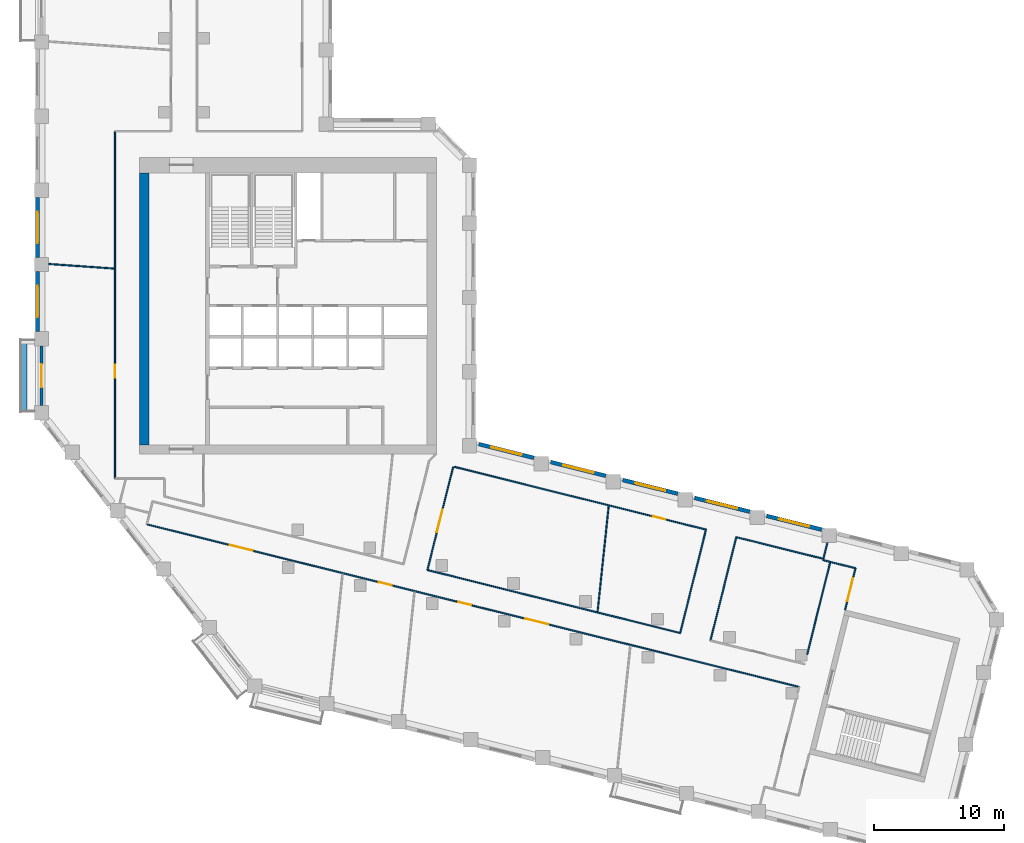
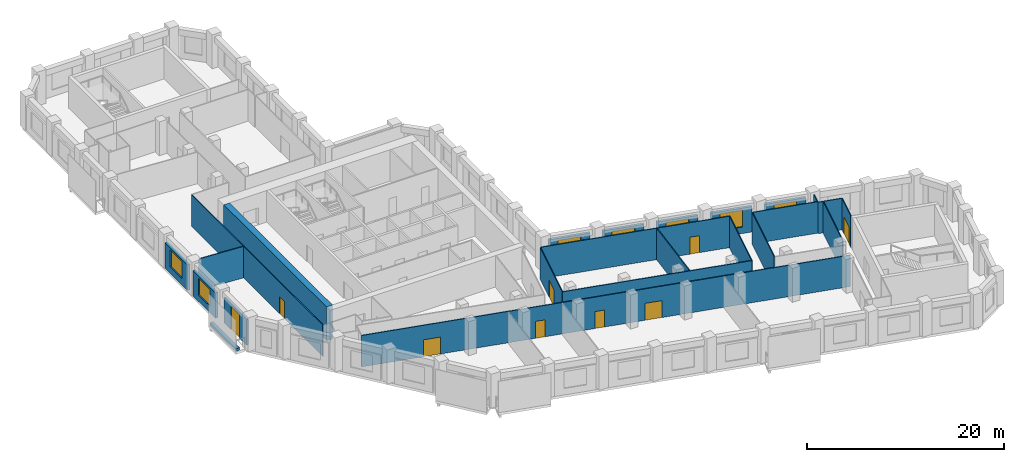
# One storey, part 4 of 10: 25 walls, 9 doors, 7 windows, 16 openings.
"""IFC4 building model written with IfcOpenShell, lengths in metres."""

from ifc_helpers import new_model, si_unit, direction, frame, frame_2d, origin, place, context, subcontext, project, spatial, rectangle, extrude, material, layer, layer_set, type_object, element, fill, save


model = new_model("IFC4")

# Units and contexts
model_context = context("Model", 3, precision=1e-05, world=origin(), true_north=direction((0.0, 1.0)))
body_context = subcontext(model_context, "Body", "Model", "MODEL_VIEW")
ifc_project = project(units=[si_unit("LENGTHUNIT", "METRE"), si_unit("AREAUNIT", "SQUARE_METRE"), si_unit("VOLUMEUNIT", "CUBIC_METRE"), si_unit("PLANEANGLEUNIT", "RADIAN"), si_unit("MASSUNIT", "GRAM", prefix="KILO")], contexts=[model_context])

# Site, building, storey
site_placement = place(None, origin())
site = spatial("IfcSite", under=ifc_project, at=site_placement, CompositionType="ELEMENT")
building_placement = place(site_placement, origin())
building = spatial("IfcBuilding", under=site, at=building_placement, Name="Meshkara Civic Tower", CompositionType="ELEMENT")
storey_placement = place(building_placement, frame((0.0, 0.0, 234.0)))
storey = spatial("IfcBuildingStorey", under=building, at=storey_placement, Name="L53", CompositionType="ELEMENT", Elevation=234.0)

# Wall
ifc_material_1 = material(Name="Concrete C60", Category="concrete")
ifc_layer_1 = layer(ifc_material_1, 0.699951171875)
ifc_layer_set_1 = layer_set([ifc_layer_1], Name="Core ring wall 700 C60")
wall_type_1 = type_object("IfcWallType", Name="Core ring wall 700 C60", PredefinedType="SHEAR", material=ifc_layer_set_1)
wall_1_placement = place(storey_placement, frame((8.35009765625, 14.800048828125, -0.300048828125), z_axis=(0.0, 0.0, 1.0), x_axis=(0.0, 1.0, 0.0)))
element("IfcWall", 1, at=wall_1_placement, inside=storey, type_object=wall_type_1, Name="L53-C003", PredefinedType="SHEAR", context=body_context, shape_type="SweptSolid", body=[
    extrude(rectangle(XDim=20.89990234375, YDim=0.699951171875, at=frame_2d((10.449951171875, 0.0))), origin(), (0.0, 0.0, 1.0), 4.199951171875),
])

# Wall, opening, door
ifc_material_2 = material(Name="Corridor wall 100")
ifc_layer_2 = layer(ifc_material_2, 0.10009765625)
ifc_layer_set_2 = layer_set([ifc_layer_2], Name="Corridor wall 100")
wall_type_2 = type_object("IfcWallType", Name="Corridor wall 100", PredefinedType="PARTITIONING", material=ifc_layer_set_2)
wall_2_placement = place(storey_placement, frame((6.10009765625, 38.89990234375, 0.0), z_axis=(0.0, 0.0, 1.0), x_axis=(0.0, -1.0, 0.0)))
wall_2 = element("IfcWall", 2, at=wall_2_placement, inside=storey, type_object=wall_type_2, Name="L53-W005", PredefinedType="PARTITIONING", context=body_context, shape_type="SweptSolid", body=[
    extrude(rectangle(XDim=26.699951171875, YDim=0.10009765625, at=frame_2d((13.35009765625, 0.0))), origin(), (0.0, 0.0, 1.0), 3.89990234375),
])
opening_1_placement = place(wall_2_placement, frame((17.93603515625, 0.0, 0.0)))
opening_1 = element("IfcOpeningElement", 3, at=opening_1_placement, cuts=wall_2, Name="Opening L53-D013", PredefinedType="OPENING", context=body_context, shape_type="SweptSolid", body=[
    extrude(rectangle(XDim=1.0, YDim=2.10009765625, at=frame_2d((0.5, 1.050048828125))), frame((0.0, 0.06005859375, 0.0), z_axis=(0.0, -1.0, 0.0), x_axis=(1.0, 0.0, 0.0)), (0.0, 0.0, 1.0), 0.1201171875),
])
ifc_material_3 = material(Name="Door 1000 x 2100")
door_type_1 = type_object("IfcDoorType", Name="Door 1000 x 2100", OperationType="SINGLE_SWING_LEFT", PredefinedType="DOOR", material=ifc_material_3)
door_1_placement = place(opening_1_placement, origin())
door_1 = element("IfcDoor", 4, at=door_1_placement, inside=storey, type_object=door_type_1, Name="L53-D013", OperationType="SINGLE_SWING_RIGHT", OverallHeight=2.10009765625, OverallWidth=1.0, PredefinedType="DOOR", context=body_context, shape_type="SweptSolid", body=[
    extrude(rectangle(XDim=1.0, YDim=2.10009765625, at=frame_2d((0.5, 1.050048828125))), frame((0.0, 0.02490234375, 0.0), z_axis=(0.0, -1.0, 0.0), x_axis=(1.0, 0.0, 0.0)), (0.0, 0.0, 1.0), 0.050048828125),
])
fill(opening_1, door_1)

# Wall, openings, doors
wall_3_placement = place(storey_placement, frame((8.550048828125, 8.68505859375, 0.0), z_axis=(0.0, 0.0, 1.0), x_axis=(0.970297101369, -0.241916380335, 0.0)))
wall_3 = element("IfcWall", 5, at=wall_3_placement, inside=storey, type_object=wall_type_2, Name="L53-W006", PredefinedType="PARTITIONING", context=body_context, shape_type="SweptSolid", body=[
    extrude(rectangle(XDim=51.6748046875, YDim=0.10009765625, at=frame_2d((25.83740234375, 0.0))), origin(), (0.0, 0.0, 1.0), 3.89990234375),
])
opening_2_placement = place(wall_3_placement, frame((18.39111328125, 0.0, 0.0)))
opening_2 = element("IfcOpeningElement", 6, at=opening_2_placement, cuts=wall_3, Name="Opening L53-D004", PredefinedType="OPENING", context=body_context, shape_type="SweptSolid", body=[
    extrude(rectangle(XDim=1.0, YDim=2.10009765625, at=frame_2d((0.5, 1.050048828125))), frame((0.0, 0.06005859375, 0.0), z_axis=(0.0, -1.0, 0.0), x_axis=(1.0, 0.0, 0.0)), (0.0, 0.0, 1.0), 0.1201171875),
])
opening_3_placement = place(wall_3_placement, frame((24.68994140625, 0.0, 0.0)))
opening_3 = element("IfcOpeningElement", 7, at=opening_3_placement, cuts=wall_3, Name="Opening L53-D005", PredefinedType="OPENING", context=body_context, shape_type="SweptSolid", body=[
    extrude(rectangle(XDim=1.0, YDim=2.10009765625, at=frame_2d((0.5, 1.050048828125))), frame((0.0, 0.06005859375, 0.0), z_axis=(0.0, -1.0, 0.0), x_axis=(1.0, 0.0, 0.0)), (0.0, 0.0, 1.0), 0.1201171875),
])
opening_4_placement = place(wall_3_placement, frame((29.989990234375, 0.0, 0.0)))
opening_4 = element("IfcOpeningElement", 8, at=opening_4_placement, cuts=wall_3, Name="Opening L53-D006", PredefinedType="OPENING", context=body_context, shape_type="SweptSolid", body=[
    extrude(rectangle(XDim=1.800048828125, YDim=2.10009765625, at=frame_2d((0.89990234375, 1.050048828125))), frame((0.0, 0.06005859375, 0.0), z_axis=(0.0, -1.0, 0.0), x_axis=(1.0, 0.0, 0.0)), (0.0, 0.0, 1.0), 0.1201171875),
])
opening_5_placement = place(wall_3_placement, frame((6.580078125, 0.0, 0.0)))
opening_5 = element("IfcOpeningElement", 9, at=opening_5_placement, cuts=wall_3, Name="Opening L53-D008", PredefinedType="OPENING", context=body_context, shape_type="SweptSolid", body=[
    extrude(rectangle(XDim=1.800048828125, YDim=2.10009765625, at=frame_2d((0.89990234375, 1.050048828125))), frame((0.0, 0.06005859375, 0.0), z_axis=(0.0, -1.0, 0.0), x_axis=(1.0, 0.0, 0.0)), (0.0, 0.0, 1.0), 0.1201171875),
])
door_2_placement = place(opening_2_placement, origin())
door_2 = element("IfcDoor", 10, at=door_2_placement, inside=storey, type_object=door_type_1, Name="L53-D004", OperationType="SINGLE_SWING_LEFT", OverallHeight=2.10009765625, OverallWidth=1.0, PredefinedType="DOOR", context=body_context, shape_type="SweptSolid", body=[
    extrude(rectangle(XDim=1.0, YDim=2.10009765625, at=frame_2d((0.5, 1.050048828125))), frame((0.0, 0.02490234375, 0.0), z_axis=(0.0, -1.0, 0.0), x_axis=(1.0, 0.0, 0.0)), (0.0, 0.0, 1.0), 0.050048828125),
])
fill(opening_2, door_2)
door_3_placement = place(opening_3_placement, origin())
door_3 = element("IfcDoor", 11, at=door_3_placement, inside=storey, type_object=door_type_1, Name="L53-D005", OperationType="SINGLE_SWING_RIGHT", OverallHeight=2.10009765625, OverallWidth=1.0, PredefinedType="DOOR", context=body_context, shape_type="SweptSolid", body=[
    extrude(rectangle(XDim=1.0, YDim=2.10009765625, at=frame_2d((0.5, 1.050048828125))), frame((0.0, 0.02490234375, 0.0), z_axis=(0.0, -1.0, 0.0), x_axis=(1.0, 0.0, 0.0)), (0.0, 0.0, 1.0), 0.050048828125),
])
fill(opening_3, door_3)
ifc_material_4 = material(Name="Door pair 1800 x 2100")
door_type_2 = type_object("IfcDoorType", Name="Door pair 1800 x 2100", OperationType="SINGLE_SWING_LEFT", PredefinedType="DOOR", material=ifc_material_4)
door_4_placement = place(opening_4_placement, origin())
door_4 = element("IfcDoor", 12, at=door_4_placement, inside=storey, type_object=door_type_2, Name="L53-D006", OperationType="DOUBLE_DOOR_SINGLE_SWING", OverallHeight=2.10009765625, OverallWidth=1.800048828125, PredefinedType="DOOR", context=body_context, shape_type="SweptSolid", body=[
    extrude(rectangle(XDim=1.800048828125, YDim=2.10009765625, at=frame_2d((0.89990234375, 1.050048828125))), frame((0.0, 0.02490234375, 0.0), z_axis=(0.0, -1.0, 0.0), x_axis=(1.0, 0.0, 0.0)), (0.0, 0.0, 1.0), 0.050048828125),
])
fill(opening_4, door_4)
door_5_placement = place(opening_5_placement, origin())
door_5 = element("IfcDoor", 13, at=door_5_placement, inside=storey, type_object=door_type_2, Name="L53-D008", OperationType="DOUBLE_DOOR_SINGLE_SWING", OverallHeight=2.10009765625, OverallWidth=1.800048828125, PredefinedType="DOOR", context=body_context, shape_type="SweptSolid", body=[
    extrude(rectangle(XDim=1.800048828125, YDim=2.10009765625, at=frame_2d((0.89990234375, 1.050048828125))), frame((0.0, 0.02490234375, 0.0), z_axis=(0.0, -1.0, 0.0), x_axis=(1.0, 0.0, 0.0)), (0.0, 0.0, 1.0), 0.050048828125),
])
fill(opening_5, door_5)

# Wall
wall_4_placement = place(storey_placement, frame((30.1201171875, 5.1708984375, 0.0), z_axis=(0.0, 0.0, 1.0), x_axis=(0.970303642594, -0.241890142767, 0.0)))
element("IfcWall", 14, at=wall_4_placement, inside=storey, type_object=wall_type_2, Name="L53-W021", PredefinedType="PARTITIONING", context=body_context, shape_type="SweptSolid", body=[
    extrude(rectangle(XDim=20.025634765625, YDim=0.10009765625, at=frame_2d((10.0126953125, 0.0))), origin(), (0.0, 0.0, 1.0), 3.89990234375),
])

# Wall, opening, door
wall_5_placement = place(storey_placement, frame((30.1201171875, 5.1708984375, 0.0), z_axis=(0.0, 0.0, 1.0), x_axis=(0.241902913229, 0.970300458915, 0.0)))
wall_5 = element("IfcWall", 15, at=wall_5_placement, inside=storey, type_object=wall_type_2, Name="L53-W022", PredefinedType="PARTITIONING", context=body_context, shape_type="SweptSolid", body=[
    extrude(rectangle(XDim=8.171875, YDim=0.10009765625, at=frame_2d((4.0859375, 0.0))), origin(), (0.0, 0.0, 1.0), 3.89990234375),
])
opening_6_placement = place(wall_5_placement, frame((2.97998046875, 0.0, 0.0)))
opening_6 = element("IfcOpeningElement", 16, at=opening_6_placement, cuts=wall_5, Name="Opening L53-D010", PredefinedType="OPENING", context=body_context, shape_type="SweptSolid", body=[
    extrude(rectangle(XDim=1.800048828125, YDim=2.10009765625, at=frame_2d((0.89990234375, 1.050048828125))), frame((0.0, 0.06005859375, 0.0), z_axis=(0.0, -1.0, 0.0), x_axis=(1.0, 0.0, 0.0)), (0.0, 0.0, 1.0), 0.1201171875),
])
door_6_placement = place(opening_6_placement, origin())
door_6 = element("IfcDoor", 17, at=door_6_placement, inside=storey, type_object=door_type_2, Name="L53-D010", OperationType="DOUBLE_DOOR_SINGLE_SWING", OverallHeight=2.10009765625, OverallWidth=1.800048828125, PredefinedType="DOOR", context=body_context, shape_type="SweptSolid", body=[
    extrude(rectangle(XDim=1.800048828125, YDim=2.10009765625, at=frame_2d((0.89990234375, 1.050048828125))), frame((0.0, 0.02490234375, 0.0), z_axis=(0.0, -1.0, 0.0), x_axis=(1.0, 0.0, 0.0)), (0.0, 0.0, 1.0), 0.050048828125),
])
fill(opening_6, door_6)

wall_6_placement = place(storey_placement, frame((32.196044921875, 13.10009765625, 0.0), z_axis=(0.0, 0.0, 1.0), x_axis=(0.970300822777, -0.241901453734, 0.0)))
wall_6 = element("IfcWall", 18, at=wall_6_placement, inside=storey, type_object=wall_type_2, Name="L53-W026", PredefinedType="PARTITIONING", context=body_context, shape_type="SweptSolid", body=[
    extrude(rectangle(XDim=19.9296875, YDim=0.10009765625, at=frame_2d((9.96484375, 0.0))), origin(), (0.0, 0.0, 1.0), 3.89990234375),
])
opening_7_placement = place(wall_6_placement, frame((15.70703125, 0.0, 0.0)))
opening_7 = element("IfcOpeningElement", 19, at=opening_7_placement, cuts=wall_6, Name="Opening L53-D011", PredefinedType="OPENING", context=body_context, shape_type="SweptSolid", body=[
    extrude(rectangle(XDim=1.0, YDim=2.10009765625, at=frame_2d((0.5, 1.050048828125))), frame((0.0, 0.06005859375, 0.0), z_axis=(0.0, -1.0, 0.0), x_axis=(1.0, 0.0, 0.0)), (0.0, 0.0, 1.0), 0.1201171875),
])
door_7_placement = place(opening_7_placement, origin())
door_7 = element("IfcDoor", 20, at=door_7_placement, inside=storey, type_object=door_type_1, Name="L53-D011", OperationType="SINGLE_SWING_LEFT", OverallHeight=2.10009765625, OverallWidth=1.0, PredefinedType="DOOR", context=body_context, shape_type="SweptSolid", body=[
    extrude(rectangle(XDim=1.0, YDim=2.10009765625, at=frame_2d((0.5, 1.050048828125))), frame((0.0, 0.02490234375, 0.0), z_axis=(0.0, -1.0, 0.0), x_axis=(1.0, 0.0, 0.0)), (0.0, 0.0, 1.0), 0.050048828125),
])
fill(opening_7, door_7)

# Walls
wall_7_placement = place(storey_placement, frame((51.533935546875, 8.278076171875, 0.0), z_axis=(0.0, 0.0, 1.0), x_axis=(-0.241974784284, -0.970282538115, 0.0)))
element("IfcWall", 21, at=wall_7_placement, inside=storey, type_object=wall_type_2, Name="L53-W027", PredefinedType="PARTITIONING", context=body_context, shape_type="SweptSolid", body=[
    extrude(rectangle(XDim=8.194580078125, YDim=0.10009765625, at=frame_2d((4.09716796875, 0.0))), origin(), (0.0, 0.0, 1.0), 3.89990234375),
])
wall_8_placement = place(storey_placement, frame((51.8798828125, -0.25390625, 0.0), z_axis=(0.0, 0.0, 1.0), x_axis=(0.241869660979, 0.970308748336, 0.0)))
element("IfcWall", 22, at=wall_8_placement, inside=storey, type_object=wall_type_2, Name="L53-W028", PredefinedType="PARTITIONING", context=body_context, shape_type="SweptSolid", body=[
    extrude(rectangle(XDim=8.1953125, YDim=0.10009765625, at=frame_2d((4.09765625, 0.0))), origin(), (0.0, 0.0, 1.0), 3.89990234375),
])
wall_9_placement = place(storey_placement, frame((53.862060546875, 7.697998046875, 0.0), z_axis=(0.0, 0.0, 1.0), x_axis=(0.970296350815, -0.241919390698, 0.0)))
element("IfcWall", 23, at=wall_9_placement, inside=storey, type_object=wall_type_2, Name="L53-W029", PredefinedType="PARTITIONING", context=body_context, shape_type="SweptSolid", body=[
    extrude(rectangle(XDim=6.898681640625, YDim=0.10009765625, at=frame_2d((3.44921875, 0.0))), origin(), (0.0, 0.0, 1.0), 3.89990234375),
])
wall_10_placement = place(storey_placement, frame((60.555908203125, 6.029052734375, 0.0), z_axis=(0.0, 0.0, 1.0), x_axis=(0.24168476558, 0.970354818655, 0.0)))
element("IfcWall", 24, at=wall_10_placement, inside=storey, type_object=wall_type_2, Name="L53-W035", PredefinedType="PARTITIONING", context=body_context, shape_type="SweptSolid", body=[
    extrude(rectangle(XDim=1.282958984375, YDim=0.10009765625, at=frame_2d((0.6416015625, 0.0))), origin(), (0.0, 0.0, 1.0), 3.89990234375),
])
wall_11_placement = place(storey_placement, frame((61.0859375, 5.7939453125, 0.0), z_axis=(0.0, 0.0, 1.0), x_axis=(-0.241861257594, -0.970310843016, 0.0)))
element("IfcWall", 25, at=wall_11_placement, inside=storey, type_object=wall_type_2, Name="L53-W036", PredefinedType="PARTITIONING", context=body_context, shape_type="SweptSolid", body=[
    extrude(rectangle(XDim=7.326416015625, YDim=0.10009765625, at=frame_2d((3.6630859375, 0.0))), origin(), (0.0, 0.0, 1.0), 3.89990234375),
])

# Wall, opening, door
wall_12_placement = place(storey_placement, frame((62.22900390625, 2.10791015625, 0.0), z_axis=(0.0, 0.0, 1.0), x_axis=(0.241839284064, 0.97031631991, 0.0)))
wall_12 = element("IfcWall", 26, at=wall_12_placement, inside=storey, type_object=wall_type_2, Name="L53-W037", PredefinedType="PARTITIONING", context=body_context, shape_type="SweptSolid", body=[
    extrude(rectangle(XDim=3.300048828125, YDim=0.10009765625, at=frame_2d((1.64990234375, 0.0))), origin(), (0.0, 0.0, 1.0), 3.89990234375),
])
opening_8_placement = place(wall_12_placement, frame((0.679931640625, 0.0, 0.0)))
opening_8 = element("IfcOpeningElement", 27, at=opening_8_placement, cuts=wall_12, Name="Opening L53-D007", PredefinedType="OPENING", context=body_context, shape_type="SweptSolid", body=[
    extrude(rectangle(XDim=1.800048828125, YDim=2.10009765625, at=frame_2d((0.89990234375, 1.050048828125))), frame((0.0, 0.06005859375, 0.0), z_axis=(0.0, -1.0, 0.0), x_axis=(1.0, 0.0, 0.0)), (0.0, 0.0, 1.0), 0.1201171875),
])
door_8_placement = place(opening_8_placement, origin())
door_8 = element("IfcDoor", 28, at=door_8_placement, inside=storey, type_object=door_type_2, Name="L53-D007", OperationType="DOUBLE_DOOR_SINGLE_SWING", OverallHeight=2.10009765625, OverallWidth=1.800048828125, PredefinedType="DOOR", context=body_context, shape_type="SweptSolid", body=[
    extrude(rectangle(XDim=1.800048828125, YDim=2.10009765625, at=frame_2d((0.89990234375, 1.050048828125))), frame((0.0, 0.02490234375, 0.0), z_axis=(0.0, -1.0, 0.0), x_axis=(1.0, 0.0, 0.0)), (0.0, 0.0, 1.0), 0.050048828125),
])
fill(opening_8, door_8)

# Wall
wall_13_placement = place(storey_placement, frame((63.027099609375, 5.31005859375, 0.0), z_axis=(0.0, 0.0, 1.0), x_axis=(-0.970307382734, 0.241875139301, 0.0)))
element("IfcWall", 29, at=wall_13_placement, inside=storey, type_object=wall_type_2, Name="L53-W038", PredefinedType="PARTITIONING", context=body_context, shape_type="SweptSolid", body=[
    extrude(rectangle(XDim=2.00048828125, YDim=0.10009765625, at=frame_2d((1.000244140625, 0.0))), origin(), (0.0, 0.0, 1.0), 3.89990234375),
])

# Wall, opening, window
ifc_material_5 = material(Name="Insulated infill panel with bronze anodised aluminium cladding", Category="aluminium")
ifc_layer_3 = layer(ifc_material_5, 0.300048828125)
ifc_layer_set_3 = layer_set([ifc_layer_3], Name="EXTERNAL INFILL WALL 300")
wall_type_3 = type_object("IfcWallType", Name="EXTERNAL INFILL WALL 300", PredefinedType="SOLIDWALL", material=ifc_layer_set_3)
wall_14_placement = place(storey_placement, frame((60.428955078125, 8.277099609375, 0.0), z_axis=(0.0, 0.0, 1.0), x_axis=(-0.97030676369, 0.241877622649, 0.0)))
wall_14 = element("IfcWall", 30, at=wall_14_placement, inside=storey, type_object=wall_type_3, Name="External wall", PredefinedType="SOLIDWALL", context=body_context, shape_type="SweptSolid", body=[
    extrude(rectangle(XDim=4.365478515625, YDim=0.300048828125, at=frame_2d((2.1826171875, 0.0))), origin(), (0.0, 0.0, 1.0), 3.14990234375),
])
opening_9_placement = place(wall_14_placement, frame((0.98291015625, 0.0, 0.800048828125)))
opening_9 = element("IfcOpeningElement", 31, at=opening_9_placement, cuts=wall_14, Name="Opening W7", PredefinedType="OPENING", context=body_context, shape_type="SweptSolid", body=[
    extrude(rectangle(XDim=2.39990234375, YDim=2.10009765625, at=frame_2d((1.199951171875, 1.050048828125))), frame((0.0, 0.159912109375, 0.0), z_axis=(0.0, -1.0, 0.0), x_axis=(1.0, 0.0, 0.0)), (0.0, 0.0, 1.0), 0.320068359375),
])
ifc_material_6 = material(Name="Tinted double glazing", Category="glass")
window_type = type_object("IfcWindowType", Name="WINDOW 2400x2100", PartitioningType="DOUBLE_PANEL_VERTICAL", PredefinedType="WINDOW", material=ifc_material_6)
window_1_placement = place(opening_9_placement, origin())
window_1 = element("IfcWindow", 32, at=window_1_placement, inside=storey, type_object=window_type, Name="Window", OverallHeight=2.10009765625, OverallWidth=2.39990234375, PartitioningType="DOUBLE_PANEL_VERTICAL", PredefinedType="WINDOW", context=body_context, shape_type="SweptSolid", body=[
    extrude(rectangle(XDim=2.39990234375, YDim=2.10009765625, at=frame_2d((1.199951171875, 1.050048828125))), frame((0.0, 0.030029296875, 0.0), z_axis=(0.0, -1.0, 0.0), x_axis=(1.0, 0.0, 0.0)), (0.0, 0.0, 1.0), 0.06005859375),
])
fill(opening_9, window_1)

wall_15_placement = place(storey_placement, frame((54.89892578125, 9.656005859375, 0.0), z_axis=(0.0, 0.0, 1.0), x_axis=(-0.970319847058, 0.241825131873, 0.0)))
wall_15 = element("IfcWall", 33, at=wall_15_placement, inside=storey, type_object=wall_type_3, Name="External wall", PredefinedType="SOLIDWALL", context=body_context, shape_type="SweptSolid", body=[
    extrude(rectangle(XDim=4.366455078125, YDim=0.300048828125, at=frame_2d((2.18310546875, 0.0))), origin(), (0.0, 0.0, 1.0), 3.14990234375),
])
opening_10_placement = place(wall_15_placement, frame((0.98291015625, 0.0, 0.800048828125)))
opening_10 = element("IfcOpeningElement", 34, at=opening_10_placement, cuts=wall_15, Name="Opening W7", PredefinedType="OPENING", context=body_context, shape_type="SweptSolid", body=[
    extrude(rectangle(XDim=2.39990234375, YDim=2.10009765625, at=frame_2d((1.199951171875, 1.050048828125))), frame((0.0, 0.159912109375, 0.0), z_axis=(0.0, -1.0, 0.0), x_axis=(1.0, 0.0, 0.0)), (0.0, 0.0, 1.0), 0.320068359375),
])
window_2_placement = place(opening_10_placement, origin())
window_2 = element("IfcWindow", 35, at=window_2_placement, inside=storey, type_object=window_type, Name="Window", OverallHeight=2.10009765625, OverallWidth=2.39990234375, PartitioningType="DOUBLE_PANEL_VERTICAL", PredefinedType="WINDOW", context=body_context, shape_type="SweptSolid", body=[
    extrude(rectangle(XDim=2.39990234375, YDim=2.10009765625, at=frame_2d((1.199951171875, 1.050048828125))), frame((0.0, 0.030029296875, 0.0), z_axis=(0.0, -1.0, 0.0), x_axis=(1.0, 0.0, 0.0)), (0.0, 0.0, 1.0), 0.06005859375),
])
fill(opening_10, window_2)

wall_16_placement = place(storey_placement, frame((49.367919921875, 11.034912109375, 0.0), z_axis=(0.0, 0.0, 1.0), x_axis=(-0.970306725873, 0.241877774353, 0.0)))
wall_16 = element("IfcWall", 36, at=wall_16_placement, inside=storey, type_object=wall_type_3, Name="External wall", PredefinedType="SOLIDWALL", context=body_context, shape_type="SweptSolid", body=[
    extrude(rectangle(XDim=4.366455078125, YDim=0.300048828125, at=frame_2d((2.18310546875, 0.0))), origin(), (0.0, 0.0, 1.0), 3.14990234375),
])
opening_11_placement = place(wall_16_placement, frame((0.98291015625, 0.0, 0.800048828125)))
opening_11 = element("IfcOpeningElement", 37, at=opening_11_placement, cuts=wall_16, Name="Opening W7", PredefinedType="OPENING", context=body_context, shape_type="SweptSolid", body=[
    extrude(rectangle(XDim=2.39990234375, YDim=2.10009765625, at=frame_2d((1.199951171875, 1.050048828125))), frame((0.0, 0.159912109375, 0.0), z_axis=(0.0, -1.0, 0.0), x_axis=(1.0, 0.0, 0.0)), (0.0, 0.0, 1.0), 0.320068359375),
])
window_3_placement = place(opening_11_placement, origin())
window_3 = element("IfcWindow", 38, at=window_3_placement, inside=storey, type_object=window_type, Name="Window", OverallHeight=2.10009765625, OverallWidth=2.39990234375, PartitioningType="DOUBLE_PANEL_VERTICAL", PredefinedType="WINDOW", context=body_context, shape_type="SweptSolid", body=[
    extrude(rectangle(XDim=2.39990234375, YDim=2.10009765625, at=frame_2d((1.199951171875, 1.050048828125))), frame((0.0, 0.030029296875, 0.0), z_axis=(0.0, -1.0, 0.0), x_axis=(1.0, 0.0, 0.0)), (0.0, 0.0, 1.0), 0.06005859375),
])
fill(opening_11, window_3)

wall_17_placement = place(storey_placement, frame((43.8369140625, 12.4140625, 0.0), z_axis=(0.0, 0.0, 1.0), x_axis=(-0.97030676369, 0.241877622649, 0.0)))
wall_17 = element("IfcWall", 39, at=wall_17_placement, inside=storey, type_object=wall_type_3, Name="External wall", PredefinedType="SOLIDWALL", context=body_context, shape_type="SweptSolid", body=[
    extrude(rectangle(XDim=4.365478515625, YDim=0.300048828125, at=frame_2d((2.1826171875, 0.0))), origin(), (0.0, 0.0, 1.0), 3.14990234375),
])
opening_12_placement = place(wall_17_placement, frame((0.98291015625, 0.0, 0.800048828125)))
opening_12 = element("IfcOpeningElement", 40, at=opening_12_placement, cuts=wall_17, Name="Opening W7", PredefinedType="OPENING", context=body_context, shape_type="SweptSolid", body=[
    extrude(rectangle(XDim=2.39990234375, YDim=2.10009765625, at=frame_2d((1.199951171875, 1.050048828125))), frame((0.0, 0.159912109375, 0.0), z_axis=(0.0, -1.0, 0.0), x_axis=(1.0, 0.0, 0.0)), (0.0, 0.0, 1.0), 0.320068359375),
])
window_4_placement = place(opening_12_placement, origin())
window_4 = element("IfcWindow", 41, at=window_4_placement, inside=storey, type_object=window_type, Name="Window", OverallHeight=2.10009765625, OverallWidth=2.39990234375, PartitioningType="DOUBLE_PANEL_VERTICAL", PredefinedType="WINDOW", context=body_context, shape_type="SweptSolid", body=[
    extrude(rectangle(XDim=2.39990234375, YDim=2.10009765625, at=frame_2d((1.199951171875, 1.050048828125))), frame((0.0, 0.030029296875, 0.0), z_axis=(0.0, -1.0, 0.0), x_axis=(1.0, 0.0, 0.0)), (0.0, 0.0, 1.0), 0.06005859375),
])
fill(opening_12, window_4)

wall_18_placement = place(storey_placement, frame((38.306884765625, 13.79296875, 0.0), z_axis=(0.0, 0.0, 1.0), x_axis=(-0.970306725873, 0.241877774353, 0.0)))
wall_18 = element("IfcWall", 42, at=wall_18_placement, inside=storey, type_object=wall_type_3, Name="External wall", PredefinedType="SOLIDWALL", context=body_context, shape_type="SweptSolid", body=[
    extrude(rectangle(XDim=4.366455078125, YDim=0.300048828125, at=frame_2d((2.18310546875, 0.0))), origin(), (0.0, 0.0, 1.0), 3.14990234375),
])
opening_13_placement = place(wall_18_placement, frame((0.98291015625, 0.0, 0.800048828125)))
opening_13 = element("IfcOpeningElement", 43, at=opening_13_placement, cuts=wall_18, Name="Opening W7", PredefinedType="OPENING", context=body_context, shape_type="SweptSolid", body=[
    extrude(rectangle(XDim=2.39990234375, YDim=2.10009765625, at=frame_2d((1.199951171875, 1.050048828125))), frame((0.0, 0.159912109375, 0.0), z_axis=(0.0, -1.0, 0.0), x_axis=(1.0, 0.0, 0.0)), (0.0, 0.0, 1.0), 0.320068359375),
])
window_5_placement = place(opening_13_placement, origin())
window_5 = element("IfcWindow", 44, at=window_5_placement, inside=storey, type_object=window_type, Name="Window", OverallHeight=2.10009765625, OverallWidth=2.39990234375, PartitioningType="DOUBLE_PANEL_VERTICAL", PredefinedType="WINDOW", context=body_context, shape_type="SweptSolid", body=[
    extrude(rectangle(XDim=2.39990234375, YDim=2.10009765625, at=frame_2d((1.199951171875, 1.050048828125))), frame((0.0, 0.030029296875, 0.0), z_axis=(0.0, -1.0, 0.0), x_axis=(1.0, 0.0, 0.0)), (0.0, 0.0, 1.0), 0.06005859375),
])
fill(opening_13, window_5)

wall_19_placement = place(storey_placement, frame((0.14990234375, 33.804931640625, 0.0), z_axis=(0.0, 0.0, 1.0), x_axis=(0.0, -1.0, 0.0)))
wall_19 = element("IfcWall", 45, at=wall_19_placement, inside=storey, type_object=wall_type_3, Name="External wall", PredefinedType="SOLIDWALL", context=body_context, shape_type="SweptSolid", body=[
    extrude(rectangle(XDim=4.599853515625, YDim=0.300048828125, at=frame_2d((2.2998046875, 0.0))), origin(), (0.0, 0.0, 1.0), 3.14990234375),
])
opening_14_placement = place(wall_19_placement, frame((1.10009765625, 0.0, 0.800048828125)))
opening_14 = element("IfcOpeningElement", 46, at=opening_14_placement, cuts=wall_19, Name="Opening W7", PredefinedType="OPENING", context=body_context, shape_type="SweptSolid", body=[
    extrude(rectangle(XDim=2.39990234375, YDim=2.10009765625, at=frame_2d((1.199951171875, 1.050048828125))), frame((0.0, 0.159912109375, 0.0), z_axis=(0.0, -1.0, 0.0), x_axis=(1.0, 0.0, 0.0)), (0.0, 0.0, 1.0), 0.320068359375),
])
window_6_placement = place(opening_14_placement, origin())
window_6 = element("IfcWindow", 47, at=window_6_placement, inside=storey, type_object=window_type, Name="Window", OverallHeight=2.10009765625, OverallWidth=2.39990234375, PartitioningType="DOUBLE_PANEL_VERTICAL", PredefinedType="WINDOW", context=body_context, shape_type="SweptSolid", body=[
    extrude(rectangle(XDim=2.39990234375, YDim=2.10009765625, at=frame_2d((1.199951171875, 1.050048828125))), frame((0.0, 0.030029296875, 0.0), z_axis=(0.0, -1.0, 0.0), x_axis=(1.0, 0.0, 0.0)), (0.0, 0.0, 1.0), 0.06005859375),
])
fill(opening_14, window_6)

wall_20_placement = place(storey_placement, frame((0.14990234375, 28.10498046875, 0.0), z_axis=(0.0, 0.0, 1.0), x_axis=(0.0, -1.0, 0.0)))
wall_20 = element("IfcWall", 48, at=wall_20_placement, inside=storey, type_object=wall_type_3, Name="External wall", PredefinedType="SOLIDWALL", context=body_context, shape_type="SweptSolid", body=[
    extrude(rectangle(XDim=4.60009765625, YDim=0.300048828125, at=frame_2d((2.300048828125, 0.0))), origin(), (0.0, 0.0, 1.0), 3.14990234375),
])
opening_15_placement = place(wall_20_placement, frame((1.10009765625, 0.0, 0.800048828125)))
opening_15 = element("IfcOpeningElement", 49, at=opening_15_placement, cuts=wall_20, Name="Opening W7", PredefinedType="OPENING", context=body_context, shape_type="SweptSolid", body=[
    extrude(rectangle(XDim=2.39990234375, YDim=2.10009765625, at=frame_2d((1.199951171875, 1.050048828125))), frame((0.0, 0.159912109375, 0.0), z_axis=(0.0, -1.0, 0.0), x_axis=(1.0, 0.0, 0.0)), (0.0, 0.0, 1.0), 0.320068359375),
])
window_7_placement = place(opening_15_placement, origin())
window_7 = element("IfcWindow", 50, at=window_7_placement, inside=storey, type_object=window_type, Name="Window", OverallHeight=2.10009765625, OverallWidth=2.39990234375, PartitioningType="DOUBLE_PANEL_VERTICAL", PredefinedType="WINDOW", context=body_context, shape_type="SweptSolid", body=[
    extrude(rectangle(XDim=2.39990234375, YDim=2.10009765625, at=frame_2d((1.199951171875, 1.050048828125))), frame((0.0, 0.030029296875, 0.0), z_axis=(0.0, -1.0, 0.0), x_axis=(1.0, 0.0, 0.0)), (0.0, 0.0, 1.0), 0.06005859375),
])
fill(opening_15, window_7)

# Wall, opening, door
ifc_material_7 = material(Name="Insulated infill panel with bronze anodised aluminium cladding", Category="aluminium")
ifc_layer_4 = layer(ifc_material_7, 0.199951171875)
ifc_layer_set_4 = layer_set([ifc_layer_4], Name="LOGGIA BACK WALL 200")
wall_type_4 = type_object("IfcWallType", Name="LOGGIA BACK WALL 200", PredefinedType="SOLIDWALL", material=ifc_layer_set_4)
wall_21_placement = place(storey_placement, frame((0.449951171875, 22.404052734375, 0.0), z_axis=(0.0, 0.0, 1.0), x_axis=(0.0, -1.0, 0.0)))
wall_21 = element("IfcWall", 51, at=wall_21_placement, inside=storey, type_object=wall_type_4, Name="Loggia wall", PredefinedType="SOLIDWALL", context=body_context, shape_type="SweptSolid", body=[
    extrude(rectangle(XDim=4.59912109375, YDim=0.199951171875, at=frame_2d((2.299560546875, 0.0))), origin(), (0.0, 0.0, 1.0), 3.14990234375),
])
opening_16_placement = place(wall_21_placement, frame((1.39990234375, 0.0, 0.0)))
opening_16 = element("IfcOpeningElement", 52, at=opening_16_placement, cuts=wall_21, Name="Opening L53-L002", PredefinedType="OPENING", context=body_context, shape_type="SweptSolid", body=[
    extrude(rectangle(XDim=1.800048828125, YDim=2.89990234375, at=frame_2d((0.89990234375, 1.449951171875))), frame((0.0, 0.10986328125, 0.0), z_axis=(0.0, -1.0, 0.0), x_axis=(1.0, 0.0, 0.0)), (0.0, 0.0, 1.0), 0.219970703125),
])
ifc_material_8 = material(Name="Tinted double glazing", Category="glass")
door_type_3 = type_object("IfcDoorType", Name="LOGGIA DOOR 1800x2900", OperationType="DOUBLE_DOOR_SINGLE_SWING", PredefinedType="DOOR", material=ifc_material_8)
door_9_placement = place(opening_16_placement, origin())
door_9 = element("IfcDoor", 53, at=door_9_placement, inside=storey, type_object=door_type_3, Name="L53-L002", OperationType="DOUBLE_DOOR_SINGLE_SWING", OverallHeight=2.89990234375, OverallWidth=1.800048828125, PredefinedType="DOOR", context=body_context, shape_type="SweptSolid", body=[
    extrude(rectangle(XDim=1.800048828125, YDim=2.89990234375, at=frame_2d((0.89990234375, 1.449951171875))), frame((0.0, 0.02490234375, 0.0), z_axis=(0.0, -1.0, 0.0), x_axis=(1.0, 0.0, 0.0)), (0.0, 0.0, 1.0), 0.050048828125),
])
fill(opening_16, door_9)

# Walls
ifc_material_9 = material(Name="Concrete C40", Category="concrete")
ifc_layer_5 = layer(ifc_material_9, 0.39990234375)
ifc_layer_set_5 = layer_set([ifc_layer_5], Name="PLANTER TRAY")
wall_type_5 = type_object("IfcWallType", Name="PLANTER TRAY", PredefinedType="SOLIDWALL", material=ifc_layer_set_5)
wall_22_placement = place(storey_placement, frame((-0.8798828125, 22.784912109375, 0.0), z_axis=(0.0, 0.0, 1.0), x_axis=(0.0, -1.0, 0.0)))
element("IfcWall", 54, at=wall_22_placement, inside=storey, type_object=wall_type_5, Name="Planter", PredefinedType="SOLIDWALL", context=body_context, shape_type="SweptSolid", body=[
    extrude(rectangle(XDim=5.35986328125, YDim=0.39990234375, at=frame_2d((2.679931640625, 0.0))), origin(), (0.0, 0.0, 1.0), 0.300048828125),
])
ifc_material_10 = material(Name="Partition 100")
ifc_layer_6 = layer(ifc_material_10, 0.10009765625)
ifc_layer_set_6 = layer_set([ifc_layer_6], Name="Partition 100")
wall_type_6 = type_object("IfcWallType", Name="Partition 100", PredefinedType="PARTITIONING", material=ifc_layer_set_6)
wall_23_placement = place(storey_placement, frame((6.047119140625, 28.343994140625, 0.0), z_axis=(0.0, 0.0, 1.0), x_axis=(-0.9975626968, 0.06977582642, 0.0)))
element("IfcWall", 55, at=wall_23_placement, inside=storey, type_object=wall_type_6, Name="L53-W044", PredefinedType="PARTITIONING", context=body_context, shape_type="SweptSolid", body=[
    extrude(rectangle(XDim=5.0595703125, YDim=0.10009765625, at=frame_2d((2.52978515625, 0.0))), origin(), (0.0, 0.0, 1.0), 3.89990234375),
])
wall_24_placement = place(storey_placement, frame((43.200927734375, 1.968994140625, 0.0), z_axis=(0.0, 0.0, 1.0), x_axis=(0.104529052315, 0.994521833457, 0.0)))
element("IfcWall", 56, at=wall_24_placement, inside=storey, type_object=wall_type_6, Name="L53-W052", PredefinedType="PARTITIONING", context=body_context, shape_type="SweptSolid", body=[
    extrude(rectangle(XDim=8.16064453125, YDim=0.10009765625, at=frame_2d((4.080322265625, 0.0))), origin(), (0.0, 0.0, 1.0), 3.89990234375),
])
wall_25_placement = place(storey_placement, frame((61.090087890625, 5.79296875, 0.0), z_axis=(0.0, 0.0, 1.0), x_axis=(-0.970391687927, 0.241536688727, 0.0)))
element("IfcWall", 57, at=wall_25_placement, inside=storey, type_object=wall_type_6, Name="L53-W056", PredefinedType="PARTITIONING", context=body_context, shape_type="SweptSolid", body=[
    extrude(rectangle(XDim=0.5751953125, YDim=0.10009765625, at=frame_2d((0.28759765625, 0.0))), origin(), (0.0, 0.0, 1.0), 3.89990234375),
])

save(model, "model.ifc")
